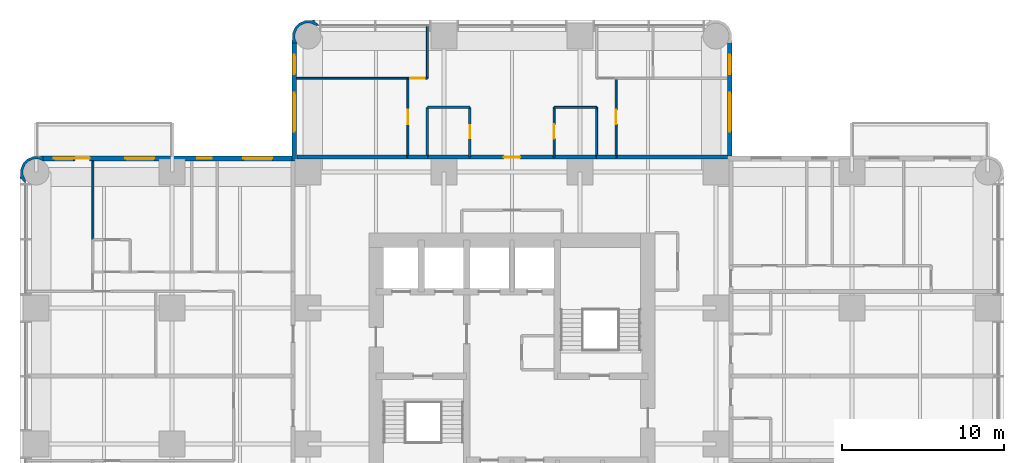
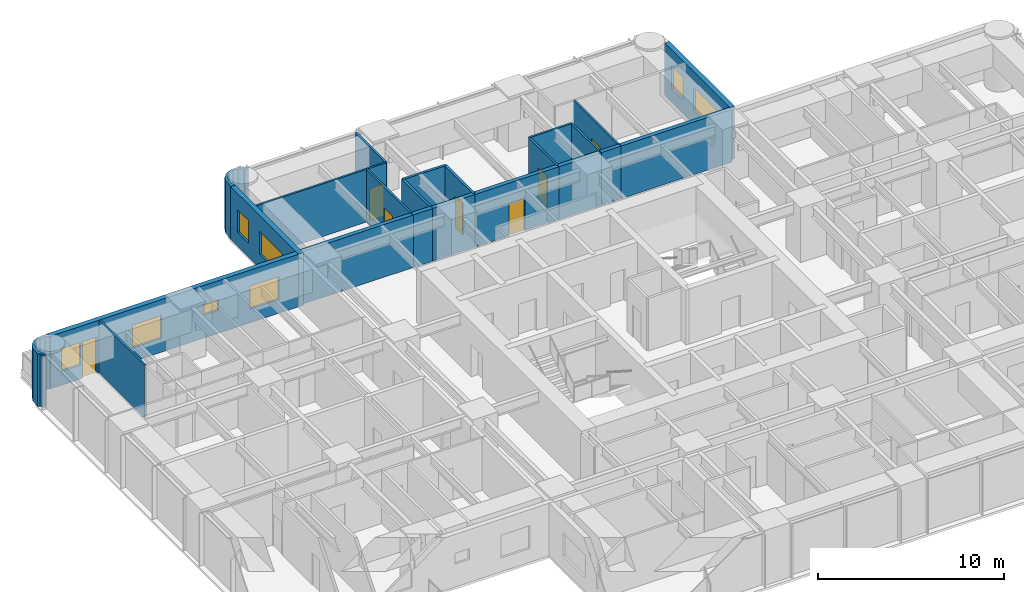
# One storey, part 11 of 14: 24 walls, 8 windows, 7 doors, 15 openings.
"""IFC4 building model written with IfcOpenShell, lengths in metres."""

from ifc_helpers import new_model, si_unit, direction, frame, frame_2d, origin, place, context, subcontext, project, spatial, polyline, rectangle, outline, extrude, material, layer, layer_set, type_object, element, fill, save


model = new_model("IFC4")

# Units and contexts
model_context = context("Model", 3, precision=1e-05, world=origin(), true_north=direction((0.0, 1.0)))
body_context = subcontext(model_context, "Body", "Model", "MODEL_VIEW")
ifc_project = project(units=[si_unit("LENGTHUNIT", "METRE"), si_unit("AREAUNIT", "SQUARE_METRE"), si_unit("VOLUMEUNIT", "CUBIC_METRE"), si_unit("PLANEANGLEUNIT", "RADIAN"), si_unit("MASSUNIT", "GRAM", prefix="KILO")], contexts=[model_context])

# Site, building, storey
site_placement = place(None, origin())
site = spatial("IfcSite", under=ifc_project, at=site_placement, CompositionType="ELEMENT")
building_placement = place(site_placement, origin())
building = spatial("IfcBuilding", under=site, at=building_placement, Name="Torre Alcanfor", CompositionType="ELEMENT")
storey_placement = place(building_placement, frame((0.0, 0.0, 166.5)))
storey = spatial("IfcBuildingStorey", under=building, at=storey_placement, Name="L43", CompositionType="ELEMENT", Elevation=166.5)

# Wall, opening, door
ifc_material_1 = material(Name="Concrete block masonry, hollow blocks NMX-C-404 9 MPa", Category="masonry")
ifc_layer_1 = layer(ifc_material_1, 0.25)
ifc_layer_set_1 = layer_set([ifc_layer_1], Name="Apartment entrance wall 250 EI 60")
wall_type_1 = type_object("IfcWallType", Name="Apartment entrance wall 250 EI 60", PredefinedType="PARTITIONING", material=ifc_layer_set_1)
wall_1_placement = place(storey_placement, frame((26.800048828125, 42.925048828125, 0.0), z_axis=(0.0, 0.0, 1.0), x_axis=(1.0, 0.0, 0.0)))
wall_1 = element("IfcWall", 1, at=wall_1_placement, inside=storey, type_object=wall_type_1, Name="Partition L43-CORR / L43-NX-ZAG", PredefinedType="PARTITIONING", context=body_context, shape_type="SweptSolid", body=[
    extrude(rectangle(XDim=5.199951171875, YDim=0.25, at=frame_2d((2.60009765625, 0.0))), origin(), (0.0, 0.0, 1.0), 3.449951171875),
])
opening_1_placement = place(wall_1_placement, frame((2.10009765625, 0.0, 0.0)))
opening_1 = element("IfcOpeningElement", 2, at=opening_1_placement, cuts=wall_1, Name="Opening D-A1", PredefinedType="OPENING", context=body_context, shape_type="SweptSolid", body=[
    extrude(rectangle(XDim=1.0, YDim=2.10009765625, at=frame_2d((0.5, 1.050048828125))), frame((0.0, 0.135009765625, 0.0), z_axis=(0.0, -1.0, 0.0), x_axis=(1.0, 0.0, 0.0)), (0.0, 0.0, 1.0), 0.27001953125),
])
ifc_material_2 = material(Name="Galvanised steel sheet ASTM A653", Category="steel")
door_type_1 = type_object("IfcDoorType", Name="Apartment entrance door FD60 1000x2100", OperationType="SINGLE_SWING_LEFT", PredefinedType="DOOR", material=ifc_material_2)
door_1_placement = place(opening_1_placement, origin())
door_1 = element("IfcDoor", 3, at=door_1_placement, inside=storey, type_object=door_type_1, Name="Apartment entrance L43-NX", OperationType="SINGLE_SWING_LEFT", OverallHeight=2.10009765625, OverallWidth=1.0, PredefinedType="DOOR", context=body_context, shape_type="SweptSolid", body=[
    extrude(rectangle(XDim=1.0, YDim=2.10009765625, at=frame_2d((0.5, 1.050048828125))), frame((0.0, 0.02490234375, 0.0), z_axis=(0.0, -1.0, 0.0), x_axis=(1.0, 0.0, 0.0)), (0.0, 0.0, 1.0), 0.050048828125),
])
fill(opening_1, door_1)

# Walls
wall_2_placement = place(storey_placement, frame((24.1708984375, 42.925048828125, 0.0), z_axis=(0.0, 0.0, 1.0), x_axis=(1.0, 0.0, 0.0)))
element("IfcWall", 4, at=wall_2_placement, inside=storey, type_object=wall_type_1, Name="Partition L43-CORR / L43-NX-BATH2", PredefinedType="PARTITIONING", context=body_context, shape_type="SweptSolid", body=[
    extrude(rectangle(XDim=2.629150390625, YDim=0.25, at=frame_2d((1.314453125, 0.0))), origin(), (0.0, 0.0, 1.0), 3.449951171875),
])
wall_3_placement = place(storey_placement, frame((32.0, 42.925048828125, 0.0), z_axis=(0.0, 0.0, 1.0), x_axis=(1.0, 0.0, 0.0)))
element("IfcWall", 5, at=wall_3_placement, inside=storey, type_object=wall_type_1, Name="Partition L43-CORR / L43-NX-KITCHEN", PredefinedType="PARTITIONING", context=body_context, shape_type="SweptSolid", body=[
    extrude(rectangle(XDim=2.62890625, YDim=0.25, at=frame_2d((1.314453125, 0.0))), origin(), (0.0, 0.0, 1.0), 3.449951171875),
])
wall_4_placement = place(storey_placement, frame((22.970947265625, 42.925048828125, 0.0), z_axis=(0.0, 0.0, 1.0), x_axis=(1.0, 0.0, 0.0)))
element("IfcWall", 6, at=wall_4_placement, inside=storey, type_object=wall_type_1, Name="Partition L43-CORR / L43-NX-LIVING", PredefinedType="PARTITIONING", context=body_context, shape_type="SweptSolid", body=[
    extrude(rectangle(XDim=1.199951171875, YDim=0.25, at=frame_2d((0.60009765625, 0.0))), origin(), (0.0, 0.0, 1.0), 3.449951171875),
])
wall_5_placement = place(storey_placement, frame((34.62890625, 42.925048828125, 0.0), z_axis=(0.0, 0.0, 1.0), x_axis=(1.0, 0.0, 0.0)))
element("IfcWall", 7, at=wall_5_placement, inside=storey, type_object=wall_type_1, Name="Partition L43-CORR / L43-NX-LIVING", PredefinedType="PARTITIONING", context=body_context, shape_type="SweptSolid", body=[
    extrude(rectangle(XDim=1.2001953125, YDim=0.25, at=frame_2d((0.60009765625, 0.0))), origin(), (0.0, 0.0, 1.0), 3.449951171875),
])
for number, where, z_axis, x_axis, name in (
    (8, (16.10009765625, 42.925048828125, 0.0), (0.0, 0.0, 1.0), (1.0, 0.0, 0.0), "Partition L43-CORR / L43-NX-BED2"),
    (9, (35.8291015625, 42.925048828125, 0.0), (0.0, 0.0, 1.0), (1.0, 0.0, 0.0), "Partition L43-CORR / L43-NX-BED3"),
):
    element("IfcWall", number, at=place(storey_placement, frame(where, z_axis=z_axis, x_axis=x_axis)), inside=storey, type_object=wall_type_1, Name=name, PredefinedType="PARTITIONING", context=body_context, shape_type="SweptSolid", body=[
        extrude(rectangle(XDim=6.870849609375, YDim=0.25, at=frame_2d((3.435546875, 0.0))), origin(), (0.0, 0.0, 1.0), 3.449951171875),
    ])

# Wall, opening, door
ifc_material_3 = material(Name="Gypsum board on steel studs", Category="steel")
ifc_layer_2 = layer(ifc_material_3, 0.1201171875)
ifc_layer_set_2 = layer_set([ifc_layer_2], Name="Apartment partition 120")
wall_type_2 = type_object("IfcWallType", Name="Apartment partition 120", PredefinedType="PARTITIONING", material=ifc_layer_set_2)
wall_6_placement = place(storey_placement, frame((32.0, 42.925048828125, 0.0), z_axis=(0.0, 0.0, 1.0), x_axis=(0.0, 1.0, 0.0)))
wall_6 = element("IfcWall", 10, at=wall_6_placement, inside=storey, type_object=wall_type_2, Name="Partition L43-NX-ZAG / L43-NX-KITCHEN", PredefinedType="PARTITIONING", context=body_context, shape_type="SweptSolid", body=[
    extrude(rectangle(XDim=3.074951171875, YDim=0.1201171875, at=frame_2d((1.53759765625, 0.0))), origin(), (0.0, 0.0, 1.0), 3.449951171875),
])
opening_2_placement = place(wall_6_placement, frame((1.125, 0.0, 0.0)))
opening_2 = element("IfcOpeningElement", 11, at=opening_2_placement, cuts=wall_6, Name="Opening D-R1", PredefinedType="OPENING", context=body_context, shape_type="SweptSolid", body=[
    extrude(rectangle(XDim=0.89990234375, YDim=2.10009765625, at=frame_2d((0.449951171875, 1.050048828125))), frame((0.0, 0.070068359375, 0.0), z_axis=(0.0, -1.0, 0.0), x_axis=(1.0, 0.0, 0.0)), (0.0, 0.0, 1.0), 0.14013671875),
])
ifc_material_4 = material(Name="Timber", Category="wood")
door_type_2 = type_object("IfcDoorType", Name="Internal door 900x2100", OperationType="SINGLE_SWING_LEFT", PredefinedType="DOOR", material=ifc_material_4)
door_2_placement = place(opening_2_placement, frame((0.89990234375, 0.0, 0.0), z_axis=(0.0, 0.0, 1.0), x_axis=(-1.0, 0.0, 0.0)))
door_2 = element("IfcDoor", 12, at=door_2_placement, inside=storey, type_object=door_type_2, Name="Door L43-NX kitchen", OperationType="SINGLE_SWING_LEFT", OverallHeight=2.10009765625, OverallWidth=0.89990234375, PredefinedType="DOOR", context=body_context, shape_type="SweptSolid", body=[
    extrude(rectangle(XDim=0.89990234375, YDim=2.10009765625, at=frame_2d((0.449951171875, 1.050048828125))), frame((0.0, 0.025146484375, 0.0), z_axis=(0.0, -1.0, 0.0), x_axis=(1.0, 0.0, 0.0)), (0.0, 0.0, 1.0), 0.050048828125),
])
fill(opening_2, door_2)

# Walls
wall_7_placement = place(storey_placement, frame((34.62890625, 42.925048828125, 0.0), z_axis=(0.0, 0.0, 1.0), x_axis=(0.0, 1.0, 0.0)))
element("IfcWall", 13, at=wall_7_placement, inside=storey, type_object=wall_type_2, Name="Partition L43-NX-KITCHEN / L43-NX-LIVING", PredefinedType="PARTITIONING", context=body_context, shape_type="SweptSolid", body=[
    extrude(rectangle(XDim=3.074951171875, YDim=0.1201171875, at=frame_2d((1.53759765625, 0.0))), origin(), (0.0, 0.0, 1.0), 3.449951171875),
])
wall_8_placement = place(storey_placement, frame((34.62890625, 46.0, 0.0), z_axis=(0.0, 0.0, 1.0), x_axis=(-1.0, 0.0, 0.0)))
element("IfcWall", 14, at=wall_8_placement, inside=storey, type_object=wall_type_2, Name="Partition L43-NX-KITCHEN / L43-NX-LIVING", PredefinedType="PARTITIONING", context=body_context, shape_type="SweptSolid", body=[
    extrude(rectangle(XDim=2.62890625, YDim=0.1201171875, at=frame_2d((1.314453125, 0.0))), origin(), (0.0, 0.0, 1.0), 3.449951171875),
])

# Wall, opening, door
wall_9_placement = place(storey_placement, frame((22.970947265625, 42.925048828125, 0.0), z_axis=(0.0, 0.0, 1.0), x_axis=(0.0, 1.0, 0.0)))
wall_9 = element("IfcWall", 15, at=wall_9_placement, inside=storey, type_object=wall_type_2, Name="Partition L43-NX-LIVING / L43-NX-BED2", PredefinedType="PARTITIONING", context=body_context, shape_type="SweptSolid", body=[
    extrude(rectangle(XDim=4.875, YDim=0.1201171875, at=frame_2d((2.4375, 0.0))), origin(), (0.0, 0.0, 1.0), 3.449951171875),
])
opening_3_placement = place(wall_9_placement, frame((2.02490234375, 0.0, 0.0)))
opening_3 = element("IfcOpeningElement", 16, at=opening_3_placement, cuts=wall_9, Name="Opening D-R1", PredefinedType="OPENING", context=body_context, shape_type="SweptSolid", body=[
    extrude(rectangle(XDim=0.89990234375, YDim=2.10009765625, at=frame_2d((0.449951171875, 1.050048828125))), frame((0.0, 0.070068359375, 0.0), z_axis=(0.0, -1.0, 0.0), x_axis=(1.0, 0.0, 0.0)), (0.0, 0.0, 1.0), 0.14013671875),
])
door_3_placement = place(opening_3_placement, origin())
door_3 = element("IfcDoor", 17, at=door_3_placement, inside=storey, type_object=door_type_2, Name="Door L43-NX bed2", OperationType="SINGLE_SWING_RIGHT", OverallHeight=2.10009765625, OverallWidth=0.89990234375, PredefinedType="DOOR", context=body_context, shape_type="SweptSolid", body=[
    extrude(rectangle(XDim=0.89990234375, YDim=2.10009765625, at=frame_2d((0.449951171875, 1.050048828125))), frame((0.0, 0.02490234375, 0.0), z_axis=(0.0, -1.0, 0.0), x_axis=(1.0, 0.0, 0.0)), (0.0, 0.0, 1.0), 0.050048828125),
])
fill(opening_3, door_3)

wall_10_placement = place(storey_placement, frame((22.970947265625, 47.800048828125, 0.0), z_axis=(0.0, 0.0, 1.0), x_axis=(1.0, 0.0, 0.0)))
wall_10 = element("IfcWall", 18, at=wall_10_placement, inside=storey, type_object=wall_type_2, Name="Partition L43-NX-LIVING / L43-NX-MASTER", PredefinedType="PARTITIONING", context=body_context, shape_type="SweptSolid", body=[
    extrude(rectangle(XDim=1.199951171875, YDim=0.1201171875, at=frame_2d((0.60009765625, 0.0))), origin(), (0.0, 0.0, 1.0), 3.449951171875),
])
opening_4_placement = place(wall_10_placement, frame((0.14892578125, 0.0, 0.0)))
opening_4 = element("IfcOpeningElement", 19, at=opening_4_placement, cuts=wall_10, Name="Opening D-R1", PredefinedType="OPENING", context=body_context, shape_type="SweptSolid", body=[
    extrude(rectangle(XDim=0.89990234375, YDim=2.10009765625, at=frame_2d((0.449951171875, 1.050048828125))), frame((0.0, 0.070068359375, 0.0), z_axis=(0.0, -1.0, 0.0), x_axis=(1.0, 0.0, 0.0)), (0.0, 0.0, 1.0), 0.14013671875),
])
door_4_placement = place(opening_4_placement, origin())
door_4 = element("IfcDoor", 20, at=door_4_placement, inside=storey, type_object=door_type_2, Name="Door L43-NX master", OperationType="SINGLE_SWING_RIGHT", OverallHeight=2.10009765625, OverallWidth=0.89990234375, PredefinedType="DOOR", context=body_context, shape_type="SweptSolid", body=[
    extrude(rectangle(XDim=0.89990234375, YDim=2.10009765625, at=frame_2d((0.449951171875, 1.050048828125))), frame((0.0, 0.02490234375, 0.0), z_axis=(0.0, -1.0, 0.0), x_axis=(1.0, 0.0, 0.0)), (0.0, 0.0, 1.0), 0.050048828125),
])
fill(opening_4, door_4)

# Wall
wall_11_placement = place(storey_placement, frame((24.1708984375, 47.800048828125, 0.0), z_axis=(0.0, 0.0, 1.0), x_axis=(0.0, 1.0, 0.0)))
element("IfcWall", 21, at=wall_11_placement, inside=storey, type_object=wall_type_2, Name="Partition L43-NX-LIVING / L43-NX-MASTER", PredefinedType="PARTITIONING", context=body_context, shape_type="SweptSolid", body=[
    extrude(rectangle(XDim=3.25, YDim=0.1201171875, at=frame_2d((1.625, 0.0))), origin(), (0.0, 0.0, 1.0), 3.449951171875),
])

# Wall, opening, door
wall_12_placement = place(storey_placement, frame((35.8291015625, 47.800048828125, 0.0), z_axis=(0.0, 0.0, 1.0), x_axis=(0.0, -1.0, 0.0)))
wall_12 = element("IfcWall", 22, at=wall_12_placement, inside=storey, type_object=wall_type_2, Name="Partition L43-NX-LIVING / L43-NX-BED3", PredefinedType="PARTITIONING", context=body_context, shape_type="SweptSolid", body=[
    extrude(rectangle(XDim=4.875, YDim=0.1201171875, at=frame_2d((2.4375, 0.0))), origin(), (0.0, 0.0, 1.0), 3.449951171875),
])
opening_5_placement = place(wall_12_placement, frame((1.949951171875, 0.0, 0.0)))
opening_5 = element("IfcOpeningElement", 23, at=opening_5_placement, cuts=wall_12, Name="Opening D-R1", PredefinedType="OPENING", context=body_context, shape_type="SweptSolid", body=[
    extrude(rectangle(XDim=0.89990234375, YDim=2.10009765625, at=frame_2d((0.449951171875, 1.050048828125))), frame((0.0, 0.070068359375, 0.0), z_axis=(0.0, -1.0, 0.0), x_axis=(1.0, 0.0, 0.0)), (0.0, 0.0, 1.0), 0.14013671875),
])
door_5_placement = place(opening_5_placement, origin())
door_5 = element("IfcDoor", 24, at=door_5_placement, inside=storey, type_object=door_type_2, Name="Door L43-NX bed3", OperationType="SINGLE_SWING_LEFT", OverallHeight=2.10009765625, OverallWidth=0.89990234375, PredefinedType="DOOR", context=body_context, shape_type="SweptSolid", body=[
    extrude(rectangle(XDim=0.89990234375, YDim=2.10009765625, at=frame_2d((0.449951171875, 1.050048828125))), frame((0.0, 0.02490234375, 0.0), z_axis=(0.0, -1.0, 0.0), x_axis=(1.0, 0.0, 0.0)), (0.0, 0.0, 1.0), 0.050048828125),
])
fill(opening_5, door_5)

# Walls
wall_13_placement = place(storey_placement, frame((22.970947265625, 47.800048828125, 0.0), z_axis=(0.0, 0.0, 1.0), x_axis=(-1.0, 0.0, 0.0)))
element("IfcWall", 25, at=wall_13_placement, inside=storey, type_object=wall_type_2, Name="Partition L43-NX-BED2 / L43-NX-MASTER", PredefinedType="PARTITIONING", context=body_context, shape_type="SweptSolid", body=[
    extrude(rectangle(XDim=6.870849609375, YDim=0.1201171875, at=frame_2d((3.435546875, 0.0))), origin(), (0.0, 0.0, 1.0), 3.449951171875),
])
wall_14_placement = place(storey_placement, frame((3.5, 37.8291015625, 0.0), z_axis=(0.0, 0.0, 1.0), x_axis=(0.0, 1.0, 0.0)))
element("IfcWall", 26, at=wall_14_placement, inside=storey, type_object=wall_type_2, Name="Partition L43-W2-MASTER / L43-W2-WGARD", PredefinedType="PARTITIONING", context=body_context, shape_type="SweptSolid", body=[
    extrude(rectangle(XDim=4.870849609375, YDim=0.1201171875, at=frame_2d((2.435546875, 0.0))), origin(), (0.0, 0.0, 1.0), 3.449951171875),
])

# Wall, openings, door, windows
ifc_material_5 = material(Name="Limestone cladding", Category="masonry")
ifc_layer_3 = layer(ifc_material_5, 0.0400390625, Name="Facing")
ifc_material_6 = material(Name="Ventilated air cavity")
ifc_layer_4 = layer(ifc_material_6, 0.02001953125, ventilated=True, Name="Ventilated joint")
ifc_material_7 = material(Name="Mineral wool insulation", Category="insulation")
ifc_layer_5 = layer(ifc_material_7, 0.10009765625, Name="Insulation")
ifc_material_8 = material(Name="Concrete f'c 35 MPa", Category="concrete")
ifc_layer_6 = layer(ifc_material_8, 0.139892578125, Name="Backing")
ifc_layer_set_3 = layer_set([ifc_layer_3, ifc_layer_4, ifc_layer_5, ifc_layer_6], Name="External wall stone-clad 300")
wall_type_3 = type_object("IfcWallType", Name="External wall stone-clad 300", PredefinedType="SOLIDWALL", material=ifc_layer_set_3)
wall_15_placement = place(storey_placement, frame((15.800048828125, 42.85009765625, 0.0), z_axis=(0.0, 0.0, 1.0), x_axis=(-1.0, 0.0, 0.0)))
wall_15 = element("IfcWall", 27, at=wall_15_placement, inside=storey, type_object=wall_type_3, Name="External wall L43 1", PredefinedType="SOLIDWALL", context=body_context, shape_type="SweptSolid", body=[
    extrude(rectangle(XDim=15.400146484375, YDim=0.300048828125, at=frame_2d((7.7001953125, 0.0))), origin(), (0.0, 0.0, 1.0), 3.449951171875),
])
opening_6_placement = place(wall_15_placement, frame((1.199951171875, 0.0, 0.89990234375)))
opening_6 = element("IfcOpeningElement", 28, at=opening_6_placement, cuts=wall_15, Name="Opening W2", PredefinedType="OPENING", context=body_context, shape_type="SweptSolid", body=[
    extrude(rectangle(XDim=1.800048828125, YDim=1.5, at=frame_2d((0.89990234375, 0.75))), frame((0.0, 0.159912109375, 0.0), z_axis=(0.0, -1.0, 0.0), x_axis=(1.0, 0.0, 0.0)), (0.0, 0.0, 1.0), 0.320068359375),
])
opening_7_placement = place(wall_15_placement, frame((4.949951171875, 0.0, 1.5)))
opening_7 = element("IfcOpeningElement", 29, at=opening_7_placement, cuts=wall_15, Name="Opening W3", PredefinedType="OPENING", context=body_context, shape_type="SweptSolid", body=[
    extrude(rectangle(XDim=0.89990234375, YDim=0.699951171875, at=frame_2d((0.449951171875, 0.35009765625))), frame((0.0, 0.159912109375, 0.0), z_axis=(0.0, -1.0, 0.0), x_axis=(1.0, 0.0, 0.0)), (0.0, 0.0, 1.0), 0.320068359375),
])
opening_8_placement = place(wall_15_placement, frame((8.5, 0.0, 0.89990234375)))
opening_8 = element("IfcOpeningElement", 30, at=opening_8_placement, cuts=wall_15, Name="Opening W2", PredefinedType="OPENING", context=body_context, shape_type="SweptSolid", body=[
    extrude(rectangle(XDim=1.800048828125, YDim=1.5, at=frame_2d((0.89990234375, 0.75))), frame((0.0, 0.159912109375, 0.0), z_axis=(0.0, -1.0, 0.0), x_axis=(1.0, 0.0, 0.0)), (0.0, 0.0, 1.0), 0.320068359375),
])
opening_9_placement = place(wall_15_placement, frame((12.5, 0.0, 0.0)))
opening_9 = element("IfcOpeningElement", 31, at=opening_9_placement, cuts=wall_15, Name="Opening D-B1", PredefinedType="OPENING", context=body_context, shape_type="SweptSolid", body=[
    extrude(rectangle(XDim=0.89990234375, YDim=2.39990234375, at=frame_2d((0.449951171875, 1.199951171875))), frame((0.0, 0.159912109375, 0.0), z_axis=(0.0, -1.0, 0.0), x_axis=(1.0, 0.0, 0.0)), (0.0, 0.0, 1.0), 0.320068359375),
])
opening_10_placement = place(wall_15_placement, frame((13.5, 0.0, 0.89990234375)))
opening_10 = element("IfcOpeningElement", 32, at=opening_10_placement, cuts=wall_15, Name="Opening W4", PredefinedType="OPENING", context=body_context, shape_type="SweptSolid", body=[
    extrude(rectangle(XDim=1.199951171875, YDim=1.5, at=frame_2d((0.60009765625, 0.75))), frame((0.0, 0.159912109375, 0.0), z_axis=(0.0, -1.0, 0.0), x_axis=(1.0, 0.0, 0.0)), (0.0, 0.0, 1.0), 0.320068359375),
])
ifc_material_9 = material(Name="Aluminium and glass", Category="aluminium")
door_type_3 = type_object("IfcDoorType", Name="Balcony door glazed 900x2400", OperationType="SINGLE_SWING_LEFT", PredefinedType="DOOR", material=ifc_material_9)
door_6_placement = place(opening_9_placement, origin())
door_6 = element("IfcDoor", 33, at=door_6_placement, inside=storey, type_object=door_type_3, Name="Balcony door L43-W2", OperationType="SINGLE_SWING_LEFT", OverallHeight=2.39990234375, OverallWidth=0.89990234375, PredefinedType="DOOR", context=body_context, shape_type="SweptSolid", body=[
    extrude(rectangle(XDim=0.89990234375, YDim=2.39990234375, at=frame_2d((0.449951171875, 1.199951171875))), frame((0.0, 0.02490234375, 0.0), z_axis=(0.0, -1.0, 0.0), x_axis=(1.0, 0.0, 0.0)), (0.0, 0.0, 1.0), 0.050048828125),
])
fill(opening_9, door_6)
ifc_material_10 = material(Name="Aluminium frame with clear double glazing", Category="aluminium")
window_type_1 = type_object("IfcWindowType", Name="Window bathroom 900x700", PartitioningType="SINGLE_PANEL", PredefinedType="WINDOW", material=ifc_material_10)
window_1_placement = place(opening_7_placement, origin())
window_1 = element("IfcWindow", 34, at=window_1_placement, inside=storey, type_object=window_type_1, Name="Window W3 L43-W2", OverallHeight=0.699951171875, OverallWidth=0.89990234375, PartitioningType="SINGLE_PANEL", PredefinedType="WINDOW", context=body_context, shape_type="SweptSolid", body=[
    extrude(rectangle(XDim=0.89990234375, YDim=0.699951171875, at=frame_2d((0.449951171875, 0.35009765625))), frame((0.0, 0.030029296875, 0.0), z_axis=(0.0, -1.0, 0.0), x_axis=(1.0, 0.0, 0.0)), (0.0, 0.0, 1.0), 0.06005859375),
])
fill(opening_7, window_1)
ifc_material_11 = material(Name="Aluminium frame with clear double glazing", Category="aluminium")
window_type_2 = type_object("IfcWindowType", Name="Window bedroom 1200x1500", PartitioningType="SINGLE_PANEL", PredefinedType="WINDOW", material=ifc_material_11)
window_2_placement = place(opening_10_placement, origin())
window_2 = element("IfcWindow", 35, at=window_2_placement, inside=storey, type_object=window_type_2, Name="Window W4 L43-W2", OverallHeight=1.5, OverallWidth=1.199951171875, PartitioningType="SINGLE_PANEL", PredefinedType="WINDOW", context=body_context, shape_type="SweptSolid", body=[
    extrude(rectangle(XDim=1.199951171875, YDim=1.5, at=frame_2d((0.60009765625, 0.75))), frame((0.0, 0.030029296875, 0.0), z_axis=(0.0, -1.0, 0.0), x_axis=(1.0, 0.0, 0.0)), (0.0, 0.0, 1.0), 0.06005859375),
])
fill(opening_10, window_2)
ifc_material_12 = material(Name="Aluminium frame with clear double glazing", Category="aluminium")
window_type_3 = type_object("IfcWindowType", Name="Window bedroom 1800x1500", PartitioningType="SINGLE_PANEL", PredefinedType="WINDOW", material=ifc_material_12)
window_3_placement = place(opening_6_placement, origin())
window_3 = element("IfcWindow", 36, at=window_3_placement, inside=storey, type_object=window_type_3, Name="Window W2 L43-W2", OverallHeight=1.5, OverallWidth=1.800048828125, PartitioningType="SINGLE_PANEL", PredefinedType="WINDOW", context=body_context, shape_type="SweptSolid", body=[
    extrude(rectangle(XDim=1.800048828125, YDim=1.5, at=frame_2d((0.89990234375, 0.75))), frame((0.0, 0.030029296875, 0.0), z_axis=(0.0, -1.0, 0.0), x_axis=(1.0, 0.0, 0.0)), (0.0, 0.0, 1.0), 0.06005859375),
])
fill(opening_6, window_3)
window_4_placement = place(opening_8_placement, origin())
window_4 = element("IfcWindow", 37, at=window_4_placement, inside=storey, type_object=window_type_3, Name="Window W2 L43-W2", OverallHeight=1.5, OverallWidth=1.800048828125, PartitioningType="SINGLE_PANEL", PredefinedType="WINDOW", context=body_context, shape_type="SweptSolid", body=[
    extrude(rectangle(XDim=1.800048828125, YDim=1.5, at=frame_2d((0.89990234375, 0.75))), frame((0.0, 0.030029296875, 0.0), z_axis=(0.0, -1.0, 0.0), x_axis=(1.0, 0.0, 0.0)), (0.0, 0.0, 1.0), 0.06005859375),
])
fill(opening_8, window_4)

# Wall, openings, windows
wall_16_placement = place(storey_placement, frame((42.85009765625, 43.0, 0.0), z_axis=(0.0, 0.0, 1.0), x_axis=(0.0, 1.0, 0.0)))
wall_16 = element("IfcWall", 38, at=wall_16_placement, inside=storey, type_object=wall_type_3, Name="External wall L43 10", PredefinedType="SOLIDWALL", context=body_context, shape_type="SweptSolid", body=[
    extrude(rectangle(XDim=7.0, YDim=0.300048828125, at=frame_2d((3.5, 0.0))), origin(), (0.0, 0.0, 1.0), 3.449951171875),
])
opening_11_placement = place(wall_16_placement, frame((1.5, 0.0, 0.89990234375)))
opening_11 = element("IfcOpeningElement", 39, at=opening_11_placement, cuts=wall_16, Name="Opening W1", PredefinedType="OPENING", context=body_context, shape_type="SweptSolid", body=[
    extrude(rectangle(XDim=2.39990234375, YDim=1.5, at=frame_2d((1.199951171875, 0.75))), frame((0.0, 0.159912109375, 0.0), z_axis=(0.0, -1.0, 0.0), x_axis=(1.0, 0.0, 0.0)), (0.0, 0.0, 1.0), 0.320068359375),
])
opening_12_placement = place(wall_16_placement, frame((5.050048828125, 0.0, 0.89990234375)))
opening_12 = element("IfcOpeningElement", 40, at=opening_12_placement, cuts=wall_16, Name="Opening W4", PredefinedType="OPENING", context=body_context, shape_type="SweptSolid", body=[
    extrude(rectangle(XDim=1.199951171875, YDim=1.5, at=frame_2d((0.60009765625, 0.75))), frame((0.0, 0.159912109375, 0.0), z_axis=(0.0, -1.0, 0.0), x_axis=(1.0, 0.0, 0.0)), (0.0, 0.0, 1.0), 0.320068359375),
])
window_5_placement = place(opening_12_placement, origin())
window_5 = element("IfcWindow", 41, at=window_5_placement, inside=storey, type_object=window_type_2, Name="Window W4 L43-N2", OverallHeight=1.5, OverallWidth=1.199951171875, PartitioningType="SINGLE_PANEL", PredefinedType="WINDOW", context=body_context, shape_type="SweptSolid", body=[
    extrude(rectangle(XDim=1.199951171875, YDim=1.5, at=frame_2d((0.60009765625, 0.75))), frame((0.0, 0.030029296875, 0.0), z_axis=(0.0, -1.0, 0.0), x_axis=(1.0, 0.0, 0.0)), (0.0, 0.0, 1.0), 0.06005859375),
])
fill(opening_12, window_5)
ifc_material_13 = material(Name="Aluminium frame with clear double glazing", Category="aluminium")
window_type_4 = type_object("IfcWindowType", Name="Window bedroom 2400x1500", PartitioningType="SINGLE_PANEL", PredefinedType="WINDOW", material=ifc_material_13)
window_6_placement = place(opening_11_placement, origin())
window_6 = element("IfcWindow", 42, at=window_6_placement, inside=storey, type_object=window_type_4, Name="Window W1 L43-N2", OverallHeight=1.5, OverallWidth=2.39990234375, PartitioningType="SINGLE_PANEL", PredefinedType="WINDOW", context=body_context, shape_type="SweptSolid", body=[
    extrude(rectangle(XDim=2.39990234375, YDim=1.5, at=frame_2d((1.199951171875, 0.75))), frame((0.0, 0.030029296875, 0.0), z_axis=(0.0, -1.0, 0.0), x_axis=(1.0, 0.0, 0.0)), (0.0, 0.0, 1.0), 0.06005859375),
])
fill(opening_11, window_6)

wall_17_placement = place(storey_placement, frame((15.949951171875, 50.0, 0.0), z_axis=(0.0, 0.0, 1.0), x_axis=(0.0, -1.0, 0.0)))
wall_17 = element("IfcWall", 43, at=wall_17_placement, inside=storey, type_object=wall_type_3, Name="External wall L43 12", PredefinedType="SOLIDWALL", context=body_context, shape_type="SweptSolid", body=[
    extrude(rectangle(XDim=7.300048828125, YDim=0.300048828125, at=frame_2d((3.64990234375, 0.0))), origin(), (0.0, 0.0, 1.0), 3.449951171875),
])
opening_13_placement = place(wall_17_placement, frame((3.10009765625, 0.0, 0.89990234375)))
opening_13 = element("IfcOpeningElement", 44, at=opening_13_placement, cuts=wall_17, Name="Opening W1", PredefinedType="OPENING", context=body_context, shape_type="SweptSolid", body=[
    extrude(rectangle(XDim=2.39990234375, YDim=1.5, at=frame_2d((1.199951171875, 0.75))), frame((0.0, 0.159912109375, 0.0), z_axis=(0.0, -1.0, 0.0), x_axis=(1.0, 0.0, 0.0)), (0.0, 0.0, 1.0), 0.320068359375),
])
opening_14_placement = place(wall_17_placement, frame((0.75, 0.0, 0.89990234375)))
opening_14 = element("IfcOpeningElement", 45, at=opening_14_placement, cuts=wall_17, Name="Opening W4", PredefinedType="OPENING", context=body_context, shape_type="SweptSolid", body=[
    extrude(rectangle(XDim=1.199951171875, YDim=1.5, at=frame_2d((0.60009765625, 0.75))), frame((0.0, 0.159912109375, 0.0), z_axis=(0.0, -1.0, 0.0), x_axis=(1.0, 0.0, 0.0)), (0.0, 0.0, 1.0), 0.320068359375),
])
window_7_placement = place(opening_14_placement, origin())
window_7 = element("IfcWindow", 46, at=window_7_placement, inside=storey, type_object=window_type_2, Name="Window W4 L43-N1", OverallHeight=1.5, OverallWidth=1.199951171875, PartitioningType="SINGLE_PANEL", PredefinedType="WINDOW", context=body_context, shape_type="SweptSolid", body=[
    extrude(rectangle(XDim=1.199951171875, YDim=1.5, at=frame_2d((0.60009765625, 0.75))), frame((0.0, 0.030029296875, 0.0), z_axis=(0.0, -1.0, 0.0), x_axis=(1.0, 0.0, 0.0)), (0.0, 0.0, 1.0), 0.06005859375),
])
fill(opening_14, window_7)
window_8_placement = place(opening_13_placement, origin())
window_8 = element("IfcWindow", 47, at=window_8_placement, inside=storey, type_object=window_type_4, Name="Window W1 L43-N1", OverallHeight=1.5, OverallWidth=2.39990234375, PartitioningType="SINGLE_PANEL", PredefinedType="WINDOW", context=body_context, shape_type="SweptSolid", body=[
    extrude(rectangle(XDim=2.39990234375, YDim=1.5, at=frame_2d((1.199951171875, 0.75))), frame((0.0, 0.030029296875, 0.0), z_axis=(0.0, -1.0, 0.0), x_axis=(1.0, 0.0, 0.0)), (0.0, 0.0, 1.0), 0.06005859375),
])
fill(opening_13, window_8)

# Walls
ifc_layer_7 = layer(ifc_material_5, 0.0400390625, Name="Facing")
ifc_layer_8 = layer(ifc_material_6, 0.02001953125, ventilated=True, Name="Ventilated joint")
ifc_layer_9 = layer(ifc_material_7, 0.10009765625, Name="Insulation")
ifc_layer_10 = layer(ifc_material_8, 0.139892578125, Name="Backing")
ifc_layer_set_4 = layer_set([ifc_layer_7, ifc_layer_8, ifc_layer_9, ifc_layer_10], Name="Rounded corner pier stone-clad 300")
wall_type_4 = type_object("IfcWallType", Name="Rounded corner pier stone-clad 300", PredefinedType="SOLIDWALL", material=ifc_layer_set_4)
wall_18_placement = place(storey_placement, frame((0.326823795, 42.817059488, 0.0), z_axis=(0.0, 0.0, 1.0), x_axis=(-0.93923434088, 0.343276641956, 0.0)))
element("IfcWall", 48, at=wall_18_placement, inside=storey, type_object=wall_type_4, Name="Corner pier L43 13", PredefinedType="SOLIDWALL", context=body_context, shape_type="SweptSolid", body=[
    extrude(outline(polyline([(-0.005838677930572508, -0.19691017002240385), (0.2656725893480827, -0.05504723679548061), (0.5353355739365452, 0.04351070532859805), (0.8164808166219237, 0.3019667887790936), (0.9774010351300944, 0.6482698031873169), (0.9936526519661447, 1.0298167590229048), (0.8950947098420661, 1.2994797436113674), (0.8284439015683875, 1.5984799607341533), (0.6967504599124257, 1.5690632792769885), (0.6041212101125378, 1.6695954267902182), (0.39402236502400456, 1.7672242392847775), (0.4711255170258348, 1.5562634010012864), (0.5086990809760941, 1.538803702790635), (0.7241945805605172, 1.30408163961566), (0.8334799177457201, 1.0050675818747117), (0.8201287688443563, 0.6867053603325339), (0.6856890926223405, 0.3973889179155373), (0.4509670294473655, 0.1818934183311141), (0.15195297170641725, 0.07260808114591123), (-0.11630424425966698, 0.08399689688883538), (-0.12741215805145528, 0.07811756360614214), (-0.14598588403076265, 0.07132913391902448), (-0.005838677930572508, -0.19691017002240385)])), origin(), (0.0, 0.0, 1.0), 3.449951171875),
])
wall_19_placement = place(storey_placement, frame((17.448071802, 50.995317512, 0.0), z_axis=(0.0, 0.0, 1.0), x_axis=(-0.343276641956, 0.93923434088, 0.0)))
element("IfcWall", 49, at=wall_19_placement, inside=storey, type_object=wall_type_4, Name="Corner pier L43 20", PredefinedType="SOLIDWALL", context=body_context, shape_type="SweptSolid", body=[
    extrude(outline(polyline([(0.24108059829103723, 0.022959620234629247), (0.3334805428319213, 0.12357557552177408), (0.4651739844878831, 0.09415889406460926), (0.5320540980205655, 0.3930753034134802), (0.6306958479185591, 0.6629675932609465), (0.6144442310825087, 1.0445145490965344), (0.4535240125743382, 1.3908175635047577), (0.17229496211504458, 1.6490443416962495), (-0.0975973277324218, 1.7476860915942432), (-0.36910859501107685, 1.8895490248211664), (-0.5092558011112671, 1.6213097208797382), (-0.4906820751319597, 1.6145212911926206), (-0.47934485608116756, 1.6085581501360122), (-0.21131694537408713, 1.6200307736528514), (0.0879264176258649, 1.5106616286937335), (0.32264848080083985, 1.2951661291093102), (0.4569426595377669, 1.0061627997252323), (0.4702938084391308, 0.6878005781830546), (0.3609246634800129, 0.3885572151831026), (0.1454291638955897, 0.15383515200812764), (0.10816871297824923, 0.136520951282565), (0.030981753202503952, -0.0746691922599299), (0.24108059829103723, 0.022959620234629247)])), origin(), (0.0, 0.0, 1.0), 3.449951171875),
])

# Wall, opening, door
ifc_material_14 = material(Name="Cement board on steel studs", Category="steel")
ifc_layer_11 = layer(ifc_material_14, 0.14990234375)
ifc_layer_set_5 = layer_set([ifc_layer_11], Name="Wet area partition 150")
wall_type_5 = type_object("IfcWallType", Name="Wet area partition 150", PredefinedType="PARTITIONING", material=ifc_layer_set_5)
wall_20_placement = place(storey_placement, frame((26.800048828125, 46.0, 0.0), z_axis=(0.0, 0.0, 1.0), x_axis=(0.0, -1.0, 0.0)))
wall_20 = element("IfcWall", 50, at=wall_20_placement, inside=storey, type_object=wall_type_5, Name="Partition L43-NX-ZAG / L43-NX-BATH2", PredefinedType="PARTITIONING", context=body_context, shape_type="SweptSolid", body=[
    extrude(rectangle(XDim=3.074951171875, YDim=0.14990234375, at=frame_2d((1.53759765625, 0.0))), origin(), (0.0, 0.0, 1.0), 3.449951171875),
])
opening_15_placement = place(wall_20_placement, frame((1.10009765625, 0.0, 0.0)))
opening_15 = element("IfcOpeningElement", 51, at=opening_15_placement, cuts=wall_20, Name="Opening D-R2", PredefinedType="OPENING", context=body_context, shape_type="SweptSolid", body=[
    extrude(rectangle(XDim=0.800048828125, YDim=2.10009765625, at=frame_2d((0.39990234375, 1.050048828125))), frame((0.0, 0.0849609375, 0.0), z_axis=(0.0, -1.0, 0.0), x_axis=(1.0, 0.0, 0.0)), (0.0, 0.0, 1.0), 0.169921875),
])
ifc_material_15 = material(Name="Timber", Category="wood")
door_type_4 = type_object("IfcDoorType", Name="Bathroom door 800x2100", OperationType="SINGLE_SWING_LEFT", PredefinedType="DOOR", material=ifc_material_15)
door_7_placement = place(opening_15_placement, frame((0.800048828125, 0.0, 0.0), z_axis=(0.0, 0.0, 1.0), x_axis=(-1.0, 0.0, 0.0)))
door_7 = element("IfcDoor", 52, at=door_7_placement, inside=storey, type_object=door_type_4, Name="Door L43-NX bath2", OperationType="SINGLE_SWING_RIGHT", OverallHeight=2.10009765625, OverallWidth=0.800048828125, PredefinedType="DOOR", context=body_context, shape_type="SweptSolid", body=[
    extrude(rectangle(XDim=0.800048828125, YDim=2.10009765625, at=frame_2d((0.400146484375, 1.050048828125))), frame((0.0, 0.025146484375, 0.0), z_axis=(0.0, -1.0, 0.0), x_axis=(1.0, 0.0, 0.0)), (0.0, 0.0, 1.0), 0.050048828125),
])
fill(opening_15, door_7)

# Walls
wall_21_placement = place(storey_placement, frame((26.800048828125, 46.0, 0.0), z_axis=(0.0, 0.0, 1.0), x_axis=(-1.0, 0.0, 0.0)))
element("IfcWall", 53, at=wall_21_placement, inside=storey, type_object=wall_type_5, Name="Partition L43-NX-BATH2 / L43-NX-LIVING", PredefinedType="PARTITIONING", context=body_context, shape_type="SweptSolid", body=[
    extrude(rectangle(XDim=2.629150390625, YDim=0.14990234375, at=frame_2d((1.314453125, 0.0))), origin(), (0.0, 0.0, 1.0), 3.449951171875),
])
wall_22_placement = place(storey_placement, frame((24.1708984375, 46.0, 0.0), z_axis=(0.0, 0.0, 1.0), x_axis=(0.0, -1.0, 0.0)))
element("IfcWall", 54, at=wall_22_placement, inside=storey, type_object=wall_type_5, Name="Partition L43-NX-BATH2 / L43-NX-LIVING", PredefinedType="PARTITIONING", context=body_context, shape_type="SweptSolid", body=[
    extrude(rectangle(XDim=3.074951171875, YDim=0.14990234375, at=frame_2d((1.53759765625, 0.0))), origin(), (0.0, 0.0, 1.0), 3.449951171875),
])

save(model, "model.ifc")
